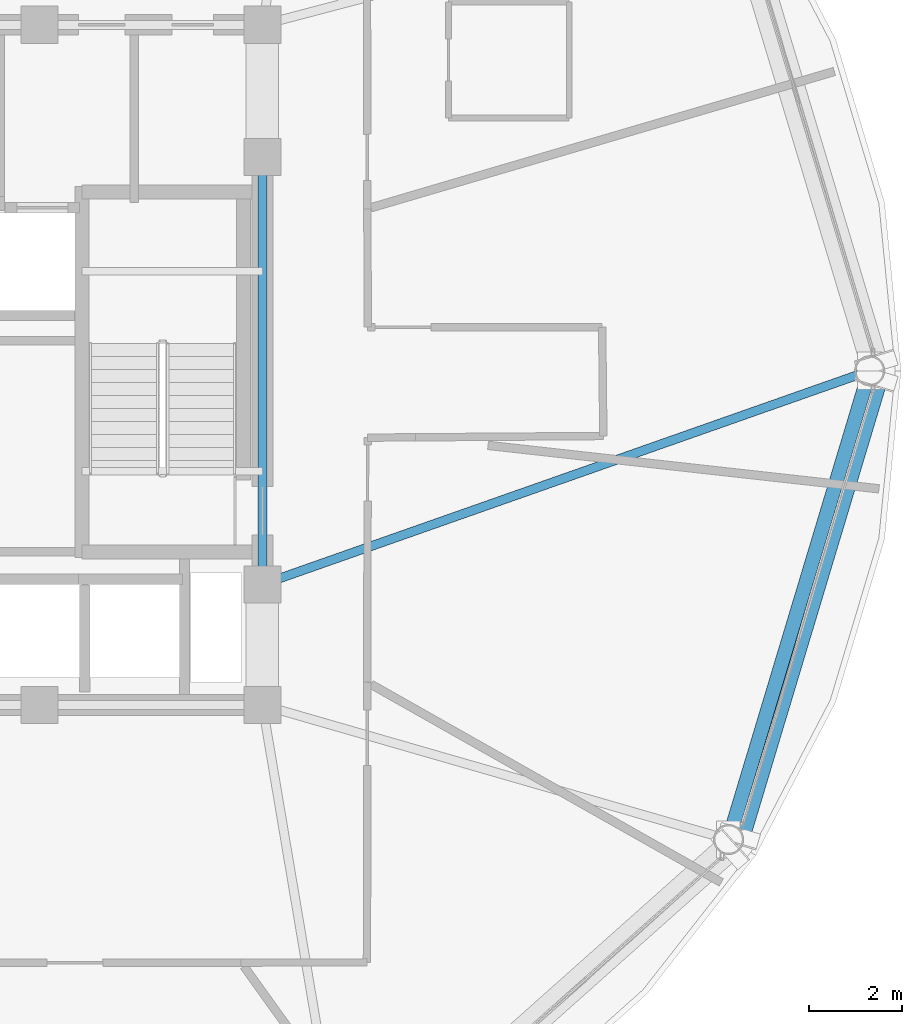
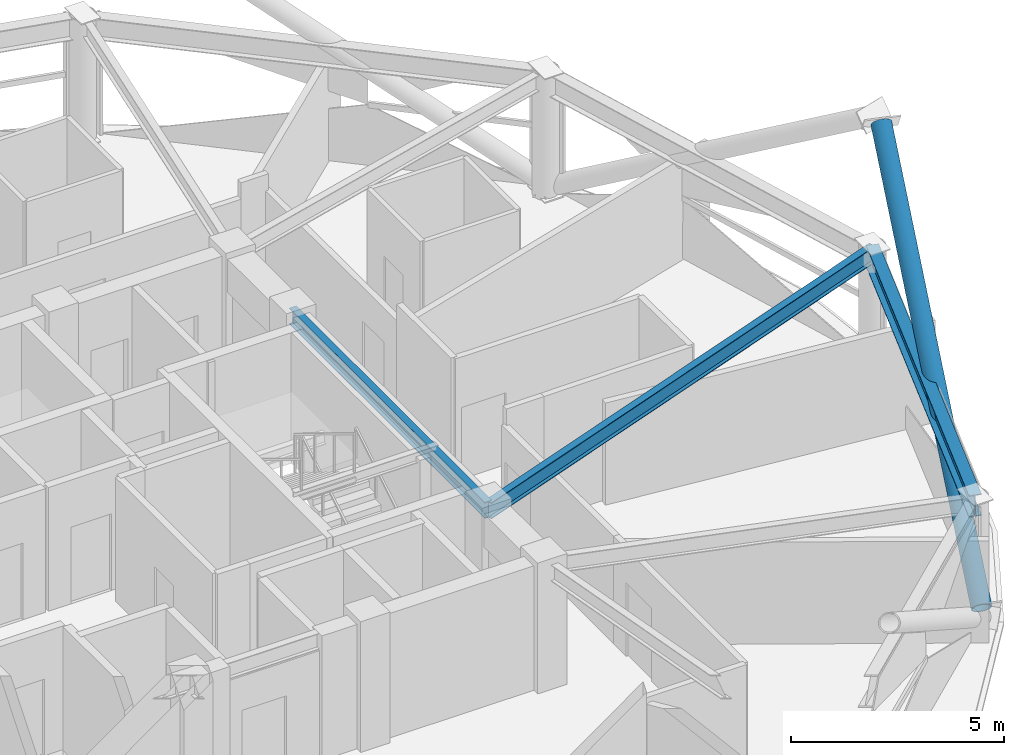
# One storey, part 13 of 30: 3 beams, 1 member.
"""IFC4 building model written with IfcOpenShell, lengths in metres."""

from ifc_helpers import new_model, si_unit, direction, frame, origin, origin_2d, place, context, subcontext, project, spatial, hollow_circle, i_section, extrude, material, material_profile, profile_set, type_object, element, save


model = new_model("IFC4")

# Units and contexts
model_context = context("Model", 3, precision=1e-05, world=origin(), true_north=direction((0.0, 1.0)))
body_context = subcontext(model_context, "Body", "Model", "MODEL_VIEW")
ifc_project = project(units=[si_unit("LENGTHUNIT", "METRE"), si_unit("AREAUNIT", "SQUARE_METRE"), si_unit("VOLUMEUNIT", "CUBIC_METRE"), si_unit("PLANEANGLEUNIT", "RADIAN"), si_unit("MASSUNIT", "GRAM", prefix="KILO")], contexts=[model_context])

# Site, building, storey
site_placement = place(None, origin())
site = spatial("IfcSite", under=ifc_project, at=site_placement, CompositionType="ELEMENT")
building_placement = place(site_placement, origin())
building = spatial("IfcBuilding", under=site, at=building_placement, Name="Vantalir Tower", CompositionType="ELEMENT")
storey_placement = place(building_placement, frame((0.0, 0.0, 189.89990234375)))
storey = spatial("IfcBuildingStorey", under=building, at=storey_placement, Name="L47", CompositionType="ELEMENT", Elevation=189.89990234375)

# Beams
ifc_material_1 = material(Name="Steel S355", Category="steel")
ifc_material_profile_1 = material_profile(ifc_material_1, i_section(OverallWidth=0.19189453125, OverallDepth=0.462890625, WebThickness=0.010498046875, FlangeThickness=0.017578125, at=origin_2d()), Name="Steel S355")
ifc_profile_set_1 = profile_set([ifc_material_profile_1], Name="Steel S355")
beam_type_1 = type_object("IfcBeamType", Name="BM-RB-457x191", PredefinedType="BEAM", material=ifc_profile_set_1)
beam_1_placement = place(storey_placement, frame((41.10009765625, 20.39990234375, 3.338134765625), z_axis=(0.0, 1.0, 0.0), x_axis=(-1.0, 0.0, 0.0)))
element("IfcBeam", 1, at=beam_1_placement, inside=storey, type_object=beam_type_1, Name="L47 Core Coupling Girder 06", PredefinedType="BEAM", context=body_context, shape_type="SweptSolid", body=[
    extrude(i_section(OverallWidth=0.19189453125, OverallDepth=0.462890625, WebThickness=0.010498046875, FlangeThickness=0.017578125, at=origin_2d()), origin(), (0.0, 0.0, 1.0), 9.2001953125),
])
beam_2_placement = place(storey_placement, frame((54.176025390625, 25.0, 3.338134765625), z_axis=(-0.943328014031, -0.331861805492, 0.0), x_axis=(0.331861805492, -0.943328014031, 0.0)))
element("IfcBeam", 2, at=beam_2_placement, inside=storey, type_object=beam_type_1, Name="L47 Radial Floor Beam 01", PredefinedType="BEAM", context=body_context, shape_type="SweptSolid", body=[
    extrude(i_section(OverallWidth=0.19189453125, OverallDepth=0.462890625, WebThickness=0.010498046875, FlangeThickness=0.017578125, at=origin_2d()), origin(), (0.0, 0.0, 1.0), 13.861572265625),
])
ifc_material_2 = material(Name="Steel S460", Category="steel")
ifc_material_profile_2 = material_profile(ifc_material_2, i_section(OverallWidth=0.306884765625, OverallDepth=0.6201171875, WebThickness=0.01416015625, FlangeThickness=0.023681640625, at=origin_2d()), Name="Steel S460")
ifc_profile_set_2 = profile_set([ifc_material_profile_2], Name="Steel S460")
beam_type_2 = type_object("IfcBeamType", Name="BM-RG-610x305", PredefinedType="USERDEFINED", material=ifc_profile_set_2)
beam_3_placement = place(storey_placement, frame((51.137939453125, 14.906005859375, 3.260009765625), z_axis=(0.288208317462, 0.957567734286, 0.0), x_axis=(-0.957567734286, 0.288208317462, 0.0)))
element("IfcBeam", 3, at=beam_3_placement, inside=storey, type_object=beam_type_2, Name="L47 Circumferential Ring Girder 12", ObjectType="GIRDER", PredefinedType="USERDEFINED", context=body_context, shape_type="SweptSolid", body=[
    extrude(i_section(OverallWidth=0.306884765625, OverallDepth=0.6201171875, WebThickness=0.01416015625, FlangeThickness=0.023681640625, at=origin_2d()), origin(), (0.0, 0.0, 1.0), 10.541259765625),
])

# Member
ifc_material_profile_3 = material_profile(ifc_material_2, hollow_circle(Radius=0.25, WallThickness=0.031982421875, at=origin_2d()), Name="Steel S460")
ifc_profile_set_3 = profile_set([ifc_material_profile_3], Name="Steel S460")
member_type = type_object("IfcMemberType", Name="MEM-DB-500x32", PredefinedType="BRACE", material=ifc_profile_set_3)
member_placement = place(storey_placement, frame((51.35595703125, 14.986083984375, 0.203125), z_axis=(0.238787592066, 0.794512876506, 0.558327659123), x_axis=(-0.957682274061, 0.287827486437, 0.0)))
element("IfcMember", 4, at=member_placement, inside=storey, type_object=member_type, Name="L47 Perimeter S460 Diagrid Brace R34L", PredefinedType="BRACE", context=body_context, shape_type="SweptSolid", body=[
    extrude(hollow_circle(Radius=0.25, WallThickness=0.031982421875, at=origin_2d()), origin(), (0.0, 0.0, 1.0), 12.383544921875),
])

save(model, "model.ifc")
